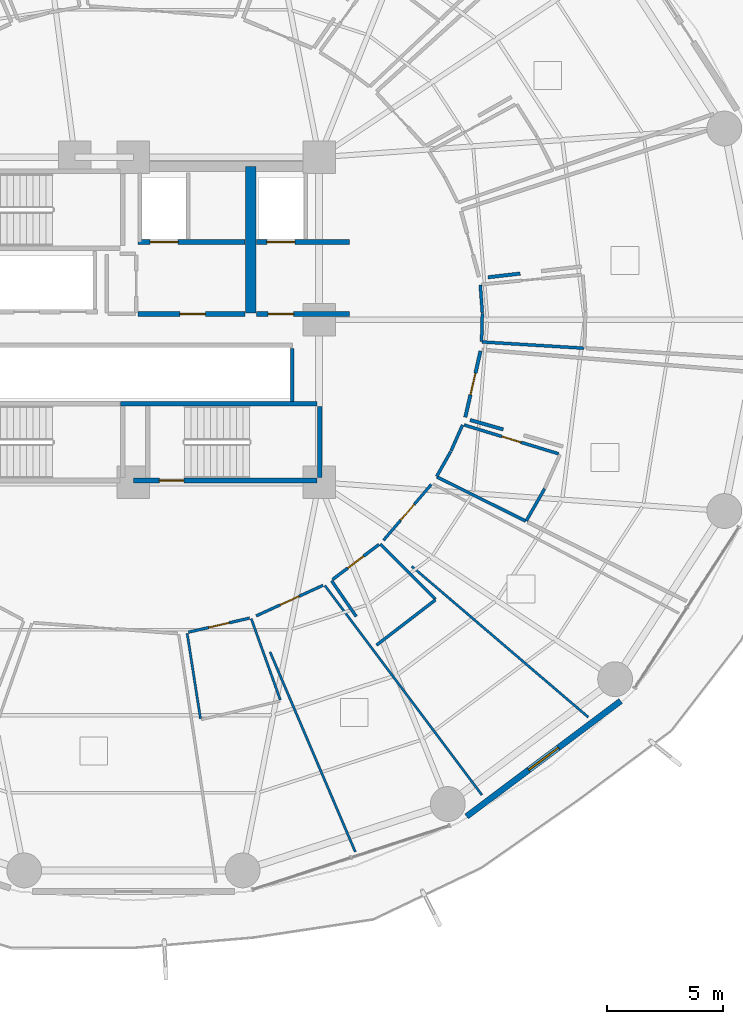
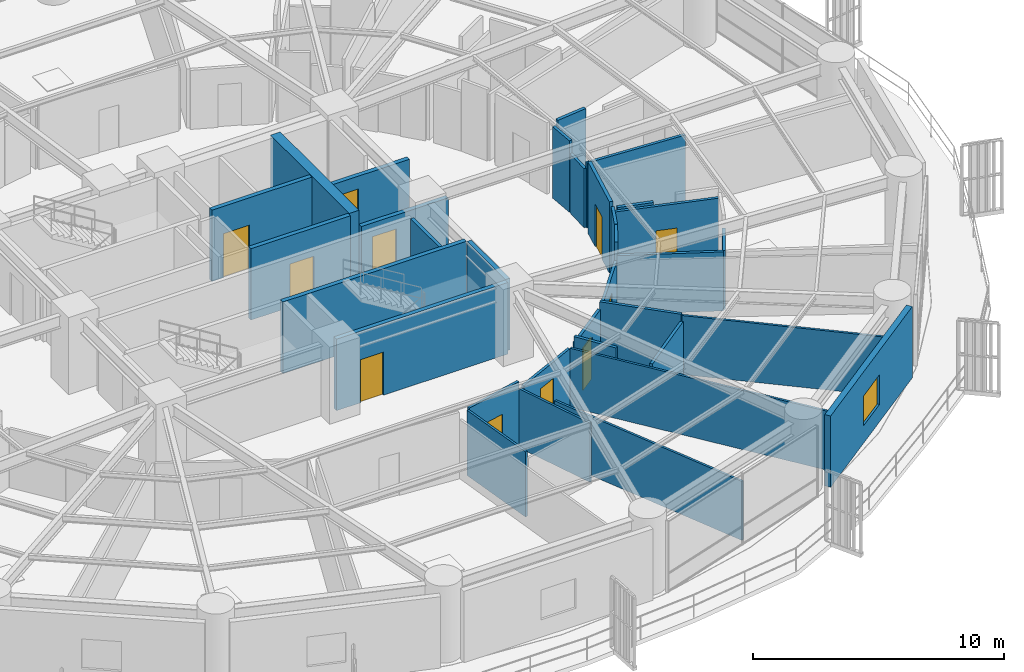
# One storey, part 24 of 32: 33 walls, 11 doors, 1 window, 12 openings.
"""IFC4 building model written with IfcOpenShell, lengths in metres."""

import ifcopenshell
import ifcopenshell.guid

model = None  # the IFC model being written
_history = None  # IfcOwnerHistory: only IFC2X3 demands one
_inside = {}  # id of a spatial element -> (the spatial element, [elements in it])
_under = {}  # id of a project, library or spatial element -> (it, [spatial elements below it])
_declared = {}  # id of a project -> (the project, [libraries it declares])
_typed = {}  # id of a type object -> (the type object, [elements of that type])
_made_of = {}  # id of a material, layer set ... -> (it, [elements and type objects made of it])


def new_model(schema):
    """Start an empty IFC model of exactly this schema.

    Asked for "IFC4X3", IfcOpenShell would pick the latest addendum, in which some entities
    have other attributes; the version numbers below select the first issue.
    IFC2X3 requires an IfcOwnerHistory on every rooted entity: one is made here for all.
    """
    global model, _history
    if schema == "IFC4X3":
        model = ifcopenshell.file(schema_version=(4, 3, 0, 0))
    else:
        model = ifcopenshell.file(schema=schema)
    _inside.clear()
    _under.clear()
    _declared.clear()
    _typed.clear()
    _made_of.clear()
    _history = None
    if model.schema == "IFC2X3":
        org = make("IfcOrganization", Name="unknown")
        user = make(
            "IfcPersonAndOrganization",
            ThePerson=make("IfcPerson", FamilyName="unknown"),
            TheOrganization=org,
        )
        app = make(
            "IfcApplication",
            ApplicationDeveloper=org,
            Version="unknown",
            ApplicationFullName="unknown",
            ApplicationIdentifier="unknown",
        )
        _history = make(
            "IfcOwnerHistory",
            OwningUser=user,
            OwningApplication=app,
            ChangeAction="ADDED",
            CreationDate=0,
        )
    return model


def make(cls, **values):
    """One entity of the class cls with the attributes given. An attribute that is None is left unset."""
    return model.create_entity(
        cls, **{name: value for name, value in values.items() if value is not None}
    )


def rooted(cls, **values):
    """An entity with a GlobalId (a new one), such as an element, a storey or a relation."""
    return make(cls, GlobalId=ifcopenshell.guid.new(), OwnerHistory=_history, **values)


def si_unit(unit_type, name, prefix=None):
    """IfcSIUnit, for example si_unit("LENGTHUNIT", "METRE", prefix="MILLI")."""
    return make("IfcSIUnit", UnitType=unit_type, Prefix=prefix, Name=name)


def assignment(units):
    """IfcUnitAssignment: the units of a project."""
    return None if units is None else make("IfcUnitAssignment", Units=units)


def point(xyz):
    """IfcCartesianPoint."""
    return None if xyz is None else make("IfcCartesianPoint", Coordinates=xyz)


def direction(xyz):
    """IfcDirection."""
    return None if xyz is None else make("IfcDirection", DirectionRatios=xyz)


def frame(location, z_axis=None, x_axis=None):
    """IfcAxis2Placement3D, a coordinate frame: its origin and axes. An axis left out is left unset."""
    return make(
        "IfcAxis2Placement3D",
        Location=point(location),
        Axis=direction(z_axis),
        RefDirection=direction(x_axis),
    )


def frame_2d(location, x_axis=None):
    """IfcAxis2Placement2D, a coordinate frame in the plane: its origin and x axis."""
    return make(
        "IfcAxis2Placement2D", Location=point(location), RefDirection=direction(x_axis)
    )


def origin():
    """The frame at (0, 0, 0) with its axes left unset."""
    return frame((0.0, 0.0, 0.0))


def place(relative_to, where):
    """IfcLocalPlacement: puts the frame where relative to a parent placement (None: the world)."""
    return make(
        "IfcLocalPlacement", PlacementRelTo=relative_to, RelativePlacement=where
    )


def context(
    kind, dimensions, precision=None, world=None, true_north=None, identifier=None
):
    """IfcGeometricRepresentationContext, for example the 3D "Model" context."""
    return make(
        "IfcGeometricRepresentationContext",
        ContextIdentifier=identifier,
        ContextType=kind,
        CoordinateSpaceDimension=dimensions,
        Precision=precision,
        WorldCoordinateSystem=world,
        TrueNorth=true_north,
    )


def subcontext(parent, identifier, kind, view, scale=None):
    """IfcGeometricRepresentationSubContext, for example "Body" below "Model"."""
    return make(
        "IfcGeometricRepresentationSubContext",
        ContextIdentifier=identifier,
        ContextType=kind,
        ParentContext=parent,
        TargetScale=scale,
        TargetView=view,
    )


def project(units=None, contexts=None):
    """IfcProject with its units and contexts."""
    return rooted(
        "IfcProject",
        Name="project",
        RepresentationContexts=contexts,
        UnitsInContext=assignment(units),
    )


def spatial(cls, under=None, at=None, **own):
    """A site, building, storey or space (cls), placed at a placement, below another one or the project."""
    s = rooted(cls, ObjectPlacement=at, **own)
    if under is not None:
        _under.setdefault(under.id(), (under, []))[1].append(s)
    return s


def profile(cls, at=None, kind="AREA", **sizes):
    """A parametric profile (cls). Its sizes go by their IFC names, for example OverallWidth=200.0."""
    return make(cls, ProfileType=kind, Position=at, **sizes)


def rectangle(**sizes):
    """IfcRectangleProfileDef."""
    return profile("IfcRectangleProfileDef", **sizes)


def extrude(swept, where, along, depth):
    """IfcExtrudedAreaSolid: the profile swept, set in the frame where, extruded along a direction by depth."""
    return make(
        "IfcExtrudedAreaSolid",
        SweptArea=swept,
        Position=where,
        ExtrudedDirection=direction(along),
        Depth=depth,
    )


def shape(context_of_items, identifier, shape_type, items):
    """IfcShapeRepresentation: the items that make up one representation, for example the "Body"."""
    return make(
        "IfcShapeRepresentation",
        ContextOfItems=context_of_items,
        RepresentationIdentifier=identifier,
        RepresentationType=shape_type,
        Items=items,
    )


def material(Name=None, Category=None):
    """IfcMaterial."""
    return make("IfcMaterial", Name=Name, Category=Category)


def layer(
    of_material, thickness, ventilated=None, Name=None, Category=None, Priority=None
):
    """IfcMaterialLayer: one layer of a wall or slab, of a material (None: an air gap)."""
    return make(
        "IfcMaterialLayer",
        Material=of_material,
        LayerThickness=thickness,
        IsVentilated=ventilated,
        Name=Name,
        Category=Category,
        Priority=Priority,
    )


def layer_set(layers, Name=None):
    """IfcMaterialLayerSet."""
    return make("IfcMaterialLayerSet", MaterialLayers=layers, LayerSetName=Name)


def made_of(thing, what):
    """Note that an element or type object is made of a material, layer set ...; save() writes the relation."""
    if what is not None:
        _made_of.setdefault(what.id(), (what, []))[1].append(thing)
    return thing


def type_object(cls, material=None, **own):
    """A type object (cls), such as IfcWallType, which elements share."""
    return made_of(rooted(cls, **own), material)


def element(
    cls,
    number,
    at=None,
    inside=None,
    cuts=None,
    type_object=None,
    material=None,
    context=None,
    identifier="Body",
    shape_type=None,
    held_by="IfcProductDefinitionShape",
    body=None,
    shapes=None,
    **own,
):
    """One element of the class cls, such as IfcWall. Its Tag is "e" and its number.

    at: its placement. inside: the storey or other place that contains it. cuts: it is an
    opening in that element (IfcRelVoidsElement). A single representation is given by context,
    identifier, shape_type and body (its items); several are given by shapes. held_by: the class
    of the entity that holds the representations. save() writes the other relations.
    """
    e = rooted(cls, Tag="e%d" % number, ObjectPlacement=at, **own)
    if body is not None:
        shapes = [shape(context, identifier, shape_type, body)]
    if shapes is not None:
        e.Representation = make(held_by, Representations=shapes)
    if inside is not None:
        _inside.setdefault(inside.id(), (inside, []))[1].append(e)
    if cuts is not None:
        rooted(
            "IfcRelVoidsElement", RelatingBuildingElement=cuts, RelatedOpeningElement=e
        )
    if type_object is not None:
        _typed.setdefault(type_object.id(), (type_object, []))[1].append(e)
    return made_of(e, material)


def fill(opening, filler):
    """IfcRelFillsElement: the door or window that sits in an opening."""
    return rooted(
        "IfcRelFillsElement",
        RelatingOpeningElement=opening,
        RelatedBuildingElement=filler,
    )


def aggregate(whole, parts):
    """IfcRelAggregates: a whole, such as a stair, and the parts it consists of."""
    return rooted("IfcRelAggregates", RelatingObject=whole, RelatedObjects=parts)


def save(model, path):
    """Write the relations noted so far, then the file.

    IfcRelAggregates (storeys below a building ...), IfcRelContainedInSpatialStructure (elements
    in a storey), IfcRelDefinesByType, IfcRelAssociatesMaterial and IfcRelDeclares: one each for
    every whole, place, type object, material and project.
    """
    for whole, parts in _under.values():
        aggregate(whole, parts)
    for where, things in _inside.values():
        rooted(
            "IfcRelContainedInSpatialStructure",
            RelatedElements=things,
            RelatingStructure=where,
        )
    for kind, things in _typed.values():
        rooted("IfcRelDefinesByType", RelatedObjects=things, RelatingType=kind)
    for what, things in _made_of.values():
        rooted("IfcRelAssociatesMaterial", RelatedObjects=things, RelatingMaterial=what)
    for by, libraries in _declared.values():
        rooted("IfcRelDeclares", RelatingContext=by, RelatedDefinitions=libraries)
    model.write(path)


model = new_model("IFC4")

# Units and contexts
model_context = context("Model", 3, precision=1e-05, world=origin(), true_north=direction((0.0, 1.0)))
body_context = subcontext(model_context, "Body", "Model", "MODEL_VIEW")
ifc_project = project(units=[si_unit("LENGTHUNIT", "METRE"), si_unit("AREAUNIT", "SQUARE_METRE"), si_unit("VOLUMEUNIT", "CUBIC_METRE"), si_unit("PLANEANGLEUNIT", "RADIAN"), si_unit("MASSUNIT", "GRAM", prefix="KILO")], contexts=[model_context])

# Site, building, storey
site_placement = place(None, origin())
site = spatial("IfcSite", under=ifc_project, at=site_placement, CompositionType="ELEMENT")
building_placement = place(site_placement, origin())
building = spatial("IfcBuilding", under=site, at=building_placement, Name="Kelanora Arch Commons", CompositionType="ELEMENT")
storey_placement = place(building_placement, frame((0.0, 0.0, 60.0)))
storey = spatial("IfcBuildingStorey", under=building, at=storey_placement, Name="L15", CompositionType="ELEMENT", Elevation=60.0)

# Wall
ifc_material_1 = material(Name="Autoclaved aerated concrete blockwork with fire plaster", Category="masonry")
ifc_layer_1 = layer(ifc_material_1, 0.14990234375)
ifc_layer_set_1 = layer_set([ifc_layer_1], Name="Autoclaved aerated concrete blockwork with fire plaster")
wall_type_1 = type_object("IfcWallType", Name="W-COMP-150", PredefinedType="PARTITIONING", material=ifc_layer_set_1)
wall_1_placement = place(storey_placement, frame((80.840087890625, 54.47998046875, 0.0), z_axis=(0.0, 0.0, 1.0), x_axis=(0.0, 1.0, 0.0)))
element("IfcWall", 1, at=wall_1_placement, inside=storey, type_object=wall_type_1, Name="South Lift Bank East Wall L15", PredefinedType="PARTITIONING", context=body_context, shape_type="SweptSolid", body=[
    extrude(rectangle(XDim=2.2900390625, YDim=0.14990234375, at=frame_2d((1.14501953125, 0.0))), origin(), (0.0, 0.0, 1.0), 3.47998046875),
])

# Wall, opening, door
wall_2_placement = place(storey_placement, frame((88.29345703125, 53.805419921875, 0.0), z_axis=(0.0, 0.0, 1.0), x_axis=(0.224304671601, 0.974519068206, 0.0)))
wall_2 = element("IfcWall", 2, at=wall_2_placement, inside=storey, type_object=wall_type_1, Name="Co-Living Studio L15-13 Entry Partition", PredefinedType="PARTITIONING", context=body_context, shape_type="SweptSolid", body=[
    extrude(rectangle(XDim=2.924560546875, YDim=0.14990234375, at=frame_2d((1.46240234375, 0.0))), origin(), (0.0, 0.0, 1.0), 3.47998046875),
])
opening_1_placement = place(wall_2_placement, frame((0.987060546875, 0.0, 0.0)))
opening_1 = element("IfcOpeningElement", 3, at=opening_1_placement, cuts=wall_2, Name="Opening D-CLU1", PredefinedType="OPENING", context=body_context, shape_type="SweptSolid", body=[
    extrude(rectangle(XDim=0.949951171875, YDim=2.080078125, at=frame_2d((0.47509765625, 1.0400390625))), frame((0.0, 0.0849609375, 0.0), z_axis=(0.0, -1.0, 0.0), x_axis=(1.0, 0.0, 0.0)), (0.0, 0.0, 1.0), 0.169921875),
])
ifc_material_2 = material(Name="Solid-core acoustic timber cluster entry fire door", Category="wood")
door_type_1 = type_object("IfcDoorType", Name="D-CLU-95", OperationType="NOTDEFINED", PredefinedType="DOOR", material=ifc_material_2)
door_1_placement = place(opening_1_placement, origin())
door_1 = element("IfcDoor", 4, at=door_1_placement, inside=storey, type_object=door_type_1, Name="Co-Living Studio L15-13 Door", OperationType="SINGLE_SWING_LEFT", OverallHeight=2.080078125, OverallWidth=0.949951171875, PredefinedType="DOOR", context=body_context, shape_type="SweptSolid", body=[
    extrude(rectangle(XDim=0.949951171875, YDim=2.080078125, at=frame_2d((0.47509765625, 1.0400390625))), frame((0.0, 0.02490234375, 0.0), z_axis=(0.0, -1.0, 0.0), x_axis=(1.0, 0.0, 0.0)), (0.0, 0.0, 1.0), 0.050048828125),
])
fill(opening_1, door_1)

# Walls
wall_3_placement = place(storey_placement, frame((89.927978515625, 53.275634765625, 0.0), z_axis=(0.0, 0.0, 1.0), x_axis=(-0.961462019825, 0.27493778284, 0.0)))
element("IfcWall", 5, at=wall_3_placement, inside=storey, type_object=wall_type_1, Name="Co-Living Studio L15-13 Enclosure Partition 7", PredefinedType="PARTITIONING", context=body_context, shape_type="SweptSolid", body=[
    extrude(rectangle(XDim=1.48828125, YDim=0.14990234375, at=frame_2d((0.744140625, 0.0))), origin(), (0.0, 0.0, 1.0), 3.235107421875),
])
wall_4_placement = place(storey_placement, frame((90.65625, 59.9892578125, 0.0), z_axis=(0.0, 0.0, 1.0), x_axis=(-0.99343576075, -0.114391386311, 0.0)))
element("IfcWall", 6, at=wall_4_placement, inside=storey, type_object=wall_type_1, Name="Co-Living Studio L15-14 Enclosure Partition 7", PredefinedType="PARTITIONING", context=body_context, shape_type="SweptSolid", body=[
    extrude(rectangle(XDim=1.3935546875, YDim=0.14990234375, at=frame_2d((0.69677734375, 0.0))), origin(), (0.0, 0.0, 1.0), 3.47998046875),
])
ifc_material_3 = material(Name="Concrete C60/75", Category="concrete")
ifc_layer_2 = layer(ifc_material_3, 0.449951171875)
ifc_layer_set_2 = layer_set([ifc_layer_2], Name="Concrete C60/75")
wall_type_2 = type_object("IfcWallType", Name="W-CORE-450", PredefinedType="SHEAR", material=ifc_layer_set_2)
wall_5_placement = place(storey_placement, frame((79.050048828125, 58.300048828125, 0.0), z_axis=(0.0, 0.0, 1.0), x_axis=(0.0, 1.0, 0.0)))
element("IfcWall", 7, at=wall_5_placement, inside=storey, type_object=wall_type_2, Name="Core Shear Spine L15-CE-N", PredefinedType="SHEAR", context=body_context, shape_type="SweptSolid", body=[
    extrude(rectangle(XDim=6.300048828125, YDim=0.449951171875, at=frame_2d((3.14990234375, 0.0))), origin(), (0.0, 0.0, 1.0), 3.489990234375),
])

# Wall, opening, window
ifc_material_4 = material(Name="Precast concrete C40/50 with terracotta rainscreen", Category="masonry")
ifc_layer_3 = layer(ifc_material_4, 0.260009765625)
ifc_layer_set_3 = layer_set([ifc_layer_3], Name="Precast concrete C40/50 with terracotta rainscreen")
wall_type_3 = type_object("IfcWallType", Name="W-EXT-TC", PredefinedType="SOLIDWALL", material=ifc_layer_set_3)
wall_6_placement = place(storey_placement, frame((88.348876953125, 36.61083984375, 0.0), z_axis=(0.0, 0.0, 1.0), x_axis=(0.80030733173, 0.599590005569, 0.0)))
wall_6 = element("IfcWall", 8, at=wall_6_placement, inside=storey, type_object=wall_type_3, Name="Terracotta Exterior Wall L15-B15", PredefinedType="SOLIDWALL", context=body_context, shape_type="SweptSolid", body=[
    extrude(rectangle(XDim=8.29052734375, YDim=0.260009765625, at=frame_2d((4.145263671875, 0.0))), origin(), (0.0, 0.0, 1.0), 3.47509765625),
])
opening_2_placement = place(wall_6_placement, frame((3.344970703125, 0.0, 0.85009765625)))
opening_2 = element("IfcOpeningElement", 9, at=opening_2_placement, cuts=wall_6, Name="Opening WN-01", PredefinedType="OPENING", context=body_context, shape_type="SweptSolid", body=[
    extrude(rectangle(XDim=1.60009765625, YDim=1.449951171875, at=frame_2d((0.800048828125, 0.72509765625))), frame((0.0, 0.14013671875, 0.0), z_axis=(0.0, -1.0, 0.0), x_axis=(1.0, 0.0, 0.0)), (0.0, 0.0, 1.0), 0.280029296875),
])
ifc_material_5 = material(Name="Terracotta-anodised aluminium frame with operable low-E glazing", Category="masonry")
window_type = type_object("IfcWindowType", Name="WIN-CL-18", PartitioningType="DOUBLE_PANEL_VERTICAL", PredefinedType="WINDOW", material=ifc_material_5)
window_placement = place(opening_2_placement, origin())
window = element("IfcWindow", 10, at=window_placement, inside=storey, type_object=window_type, Name="Co-Living Operable Window L15-B15", OverallHeight=1.449951171875, OverallWidth=1.60009765625, PartitioningType="SINGLE_PANEL", PredefinedType="WINDOW", context=body_context, shape_type="SweptSolid", body=[
    extrude(rectangle(XDim=1.60009765625, YDim=1.449951171875, at=frame_2d((0.800048828125, 0.72509765625))), frame((0.0, 0.030029296875, 0.0), z_axis=(0.0, -1.0, 0.0), x_axis=(1.0, 0.0, 0.0)), (0.0, 0.0, 1.0), 0.06005859375),
])
fill(opening_2, window)

# Wall, opening, door
ifc_material_6 = material(Name="Concrete C40/50", Category="concrete")
ifc_layer_4 = layer(ifc_material_6, 0.199951171875)
ifc_layer_set_4 = layer_set([ifc_layer_4], Name="Concrete C40/50")
wall_type_4 = type_object("IfcWallType", Name="W-FFL-200", PredefinedType="SOLIDWALL", material=ifc_layer_set_4)
wall_7_placement = place(storey_placement, frame((74.199951171875, 61.35009765625, 0.0), z_axis=(0.0, 0.0, 1.0), x_axis=(1.0, 0.0, 0.0)))
wall_7 = element("IfcWall", 11, at=wall_7_placement, inside=storey, type_object=wall_type_4, Name="Firefighting Lift 1 Shaft Front L15", PredefinedType="SOLIDWALL", context=body_context, shape_type="SweptSolid", body=[
    extrude(rectangle(XDim=4.60009765625, YDim=0.199951171875, at=frame_2d((2.300048828125, 0.0))), origin(), (0.0, 0.0, 1.0), 3.47998046875),
])
opening_3_placement = place(wall_7_placement, frame((0.52001953125, 0.0, 0.0)))
opening_3 = element("IfcOpeningElement", 12, at=opening_3_placement, cuts=wall_7, Name="Opening LD-FF", PredefinedType="OPENING", context=body_context, shape_type="SweptSolid", body=[
    extrude(rectangle(XDim=1.199951171875, YDim=2.14990234375, at=frame_2d((0.60009765625, 1.074951171875))), frame((0.0, 0.10986328125, 0.0), z_axis=(0.0, -1.0, 0.0), x_axis=(1.0, 0.0, 0.0)), (0.0, 0.0, 1.0), 0.219970703125),
])
ifc_material_7 = material(Name="Fire-rated firefighters lift sliding landing door")
door_type_2 = type_object("IfcDoorType", Name="D-LIFT-FF", OperationType="NOTDEFINED", PredefinedType="DOOR", material=ifc_material_7)
door_2_placement = place(opening_3_placement, origin())
door_2 = element("IfcDoor", 13, at=door_2_placement, inside=storey, type_object=door_type_2, Name="Firefighting Lift LF-FF1 Landing Door L15", OperationType="DOUBLE_DOOR_SLIDING", OverallHeight=2.14990234375, OverallWidth=1.199951171875, PredefinedType="DOOR", context=body_context, shape_type="SweptSolid", body=[
    extrude(rectangle(XDim=1.199951171875, YDim=2.14990234375, at=frame_2d((0.60009765625, 1.074951171875))), frame((0.0, 0.02490234375, 0.0), z_axis=(0.0, -1.0, 0.0), x_axis=(1.0, 0.0, 0.0)), (0.0, 0.0, 1.0), 0.050048828125),
])
fill(opening_3, door_2)

wall_8_placement = place(storey_placement, frame((79.300048828125, 61.35009765625, 0.0), z_axis=(0.0, 0.0, 1.0), x_axis=(1.0, 0.0, 0.0)))
wall_8 = element("IfcWall", 14, at=wall_8_placement, inside=storey, type_object=wall_type_4, Name="Firefighting Lift 2 Shaft Front L15", PredefinedType="SOLIDWALL", context=body_context, shape_type="SweptSolid", body=[
    extrude(rectangle(XDim=4.0, YDim=0.199951171875, at=frame_2d((2.0, 0.0))), origin(), (0.0, 0.0, 1.0), 2.77490234375),
])
opening_4_placement = place(wall_8_placement, frame((0.449951171875, 0.0, 0.0)))
opening_4 = element("IfcOpeningElement", 15, at=opening_4_placement, cuts=wall_8, Name="Opening LD-FF", PredefinedType="OPENING", context=body_context, shape_type="SweptSolid", body=[
    extrude(rectangle(XDim=1.199951171875, YDim=2.14990234375, at=frame_2d((0.60009765625, 1.074951171875))), frame((0.0, 0.10986328125, 0.0), z_axis=(0.0, -1.0, 0.0), x_axis=(1.0, 0.0, 0.0)), (0.0, 0.0, 1.0), 0.219970703125),
])
door_3_placement = place(opening_4_placement, origin())
door_3 = element("IfcDoor", 16, at=door_3_placement, inside=storey, type_object=door_type_2, Name="Firefighting Lift LF-FF2 Landing Door L15", OperationType="DOUBLE_DOOR_SLIDING", OverallHeight=2.14990234375, OverallWidth=1.199951171875, PredefinedType="DOOR", context=body_context, shape_type="SweptSolid", body=[
    extrude(rectangle(XDim=1.199951171875, YDim=2.14990234375, at=frame_2d((0.60009765625, 1.074951171875))), frame((0.0, 0.02490234375, 0.0), z_axis=(0.0, -1.0, 0.0), x_axis=(1.0, 0.0, 0.0)), (0.0, 0.0, 1.0), 0.050048828125),
])
fill(opening_4, door_3)

wall_9_placement = place(storey_placement, frame((74.199951171875, 58.25, 0.0), z_axis=(0.0, 0.0, 1.0), x_axis=(1.0, 0.0, 0.0)))
wall_9 = element("IfcWall", 17, at=wall_9_placement, inside=storey, type_object=wall_type_4, Name="Firefighting Lobby 1 Enclosure Wall L15", PredefinedType="SOLIDWALL", context=body_context, shape_type="SweptSolid", body=[
    extrude(rectangle(XDim=4.60009765625, YDim=0.199951171875, at=frame_2d((2.300048828125, 0.0))), origin(), (0.0, 0.0, 1.0), 3.47998046875),
])
opening_5_placement = place(wall_9_placement, frame((1.800048828125, 0.0, 0.0)))
opening_5 = element("IfcOpeningElement", 18, at=opening_5_placement, cuts=wall_9, Name="Opening D-FFL1", PredefinedType="OPENING", context=body_context, shape_type="SweptSolid", body=[
    extrude(rectangle(XDim=1.10009765625, YDim=2.10009765625, at=frame_2d((0.550048828125, 1.050048828125))), frame((0.0, 0.10986328125, 0.0), z_axis=(0.0, -1.0, 0.0), x_axis=(1.0, 0.0, 0.0)), (0.0, 0.0, 1.0), 0.219970703125),
])
ifc_material_8 = material(Name="Smoke-sealed firefighting lobby fire door")
door_type_3 = type_object("IfcDoorType", Name="D-FFL-110", OperationType="NOTDEFINED", PredefinedType="DOOR", material=ifc_material_8)
door_4_placement = place(opening_5_placement, frame((1.10009765625, 0.0, 0.0), z_axis=(0.0, 0.0, 1.0), x_axis=(-1.0, 0.0, 0.0)))
door_4 = element("IfcDoor", 19, at=door_4_placement, inside=storey, type_object=door_type_3, Name="Firefighting Lobby 1 Door L15", OperationType="SINGLE_SWING_LEFT", OverallHeight=2.10009765625, OverallWidth=1.10009765625, PredefinedType="DOOR", context=body_context, shape_type="SweptSolid", body=[
    extrude(rectangle(XDim=1.10009765625, YDim=2.10009765625, at=frame_2d((0.550048828125, 1.050048828125))), frame((0.0, 0.02490234375, 0.0), z_axis=(0.0, -1.0, 0.0), x_axis=(1.0, 0.0, 0.0)), (0.0, 0.0, 1.0), 0.050048828125),
])
fill(opening_5, door_4)

wall_10_placement = place(storey_placement, frame((79.300048828125, 58.25, 0.0), z_axis=(0.0, 0.0, 1.0), x_axis=(1.0, 0.0, 0.0)))
wall_10 = element("IfcWall", 20, at=wall_10_placement, inside=storey, type_object=wall_type_4, Name="Firefighting Lobby 2 Enclosure Wall L15", PredefinedType="SOLIDWALL", context=body_context, shape_type="SweptSolid", body=[
    extrude(rectangle(XDim=4.0, YDim=0.199951171875, at=frame_2d((2.0, 0.0))), origin(), (0.0, 0.0, 1.0), 2.77490234375),
])
opening_6_placement = place(wall_10_placement, frame((0.5, 0.0, 0.0)))
opening_6 = element("IfcOpeningElement", 21, at=opening_6_placement, cuts=wall_10, Name="Opening D-FFL1", PredefinedType="OPENING", context=body_context, shape_type="SweptSolid", body=[
    extrude(rectangle(XDim=1.10009765625, YDim=2.10009765625, at=frame_2d((0.550048828125, 1.050048828125))), frame((0.0, 0.10986328125, 0.0), z_axis=(0.0, -1.0, 0.0), x_axis=(1.0, 0.0, 0.0)), (0.0, 0.0, 1.0), 0.219970703125),
])
door_5_placement = place(opening_6_placement, frame((1.10009765625, 0.0, 0.0), z_axis=(0.0, 0.0, 1.0), x_axis=(-1.0, 0.0, 0.0)))
door_5 = element("IfcDoor", 22, at=door_5_placement, inside=storey, type_object=door_type_3, Name="Firefighting Lobby 2 Door L15", OperationType="SINGLE_SWING_RIGHT", OverallHeight=2.10009765625, OverallWidth=1.10009765625, PredefinedType="DOOR", context=body_context, shape_type="SweptSolid", body=[
    extrude(rectangle(XDim=1.10009765625, YDim=2.10009765625, at=frame_2d((0.550048828125, 1.050048828125))), frame((0.0, 0.02490234375, 0.0), z_axis=(0.0, -1.0, 0.0), x_axis=(1.0, 0.0, 0.0)), (0.0, 0.0, 1.0), 0.050048828125),
])
fill(opening_6, door_5)

# Walls
ifc_material_9 = material(Name="Lightweight fire-rated acoustic stud partition")
ifc_layer_5 = layer(ifc_material_9, 0.10009765625)
ifc_layer_set_5 = layer_set([ifc_layer_5], Name="Lightweight fire-rated acoustic stud partition")
wall_type_5 = type_object("IfcWallType", Name="W-PART-100", PredefinedType="PARTITIONING", material=ifc_layer_set_5)
wall_11_placement = place(storey_placement, frame((79.074462890625, 45.12841796875, 0.0), z_axis=(0.0, 0.0, 1.0), x_axis=(0.336806149261, -0.941574010803, 0.0)))
element("IfcWall", 23, at=wall_11_placement, inside=storey, type_object=wall_type_5, Name="Student Laundry Room L15-11 Enclosure Partition 2", PredefinedType="PARTITIONING", context=body_context, shape_type="SweptSolid", body=[
    extrude(rectangle(XDim=3.719970703125, YDim=0.10009765625, at=frame_2d((1.85986328125, 0.0))), origin(), (0.0, 0.0, 1.0), 2.875),
])
wall_12_placement = place(storey_placement, frame((76.888916015625, 40.81640625, 0.0), z_axis=(0.0, 0.0, 1.0), x_axis=(-0.153950475789, 0.988078565198, 0.0)))
element("IfcWall", 24, at=wall_12_placement, inside=storey, type_object=wall_type_5, Name="Student Laundry Room L15-11 Enclosure Partition 4", PredefinedType="PARTITIONING", context=body_context, shape_type="SweptSolid", body=[
    extrude(rectangle(XDim=3.720458984375, YDim=0.10009765625, at=frame_2d((1.8603515625, 0.0))), origin(), (0.0, 0.0, 1.0), 3.175048828125),
])
wall_13_placement = place(storey_placement, frame((82.243896484375, 46.556884765625, 0.0), z_axis=(0.0, 0.0, 1.0), x_axis=(0.599892569248, -0.800080561794, 0.0)))
element("IfcWall", 25, at=wall_13_placement, inside=storey, type_object=wall_type_5, Name="Quiet Reading Carrel L15-11 Enclosure Partition 2", PredefinedType="PARTITIONING", context=body_context, shape_type="SweptSolid", body=[
    extrude(rectangle(XDim=11.2724609375, YDim=0.10009765625, at=frame_2d((5.63623046875, 0.0))), origin(), (0.0, 0.0, 1.0), 2.875),
])
wall_14_placement = place(storey_placement, frame((83.55322265625, 35.0888671875, 0.0), z_axis=(0.0, 0.0, 1.0), x_axis=(-0.392154212845, 0.919899490895, 0.0)))
element("IfcWall", 26, at=wall_14_placement, inside=storey, type_object=wall_type_5, Name="Quiet Reading Carrel L15-11 Enclosure Partition 4", PredefinedType="PARTITIONING", context=body_context, shape_type="SweptSolid", body=[
    extrude(rectangle(XDim=9.35205078125, YDim=0.10009765625, at=frame_2d((4.676025390625, 0.0))), origin(), (0.0, 0.0, 1.0), 2.875),
])
wall_15_placement = place(storey_placement, frame((93.588623046875, 40.885009765625, 0.0), z_axis=(0.0, 0.0, 1.0), x_axis=(-0.760200523841, 0.649688512713, 0.0)))
element("IfcWall", 27, at=wall_15_placement, inside=storey, type_object=wall_type_5, Name="Tutorial Study Alcove L15-12 Enclosure Partition 4", PredefinedType="PARTITIONING", context=body_context, shape_type="SweptSolid", body=[
    extrude(rectangle(XDim=9.99658203125, YDim=0.10009765625, at=frame_2d((4.998291015625, 0.0))), origin(), (0.0, 0.0, 1.0), 2.875),
])

# Wall, opening, door
ifc_material_10 = material(Name="Acoustic twin-stud fire-rated gypsum partition")
ifc_layer_6 = layer(ifc_material_10, 0.1201171875)
ifc_layer_set_6 = layer_set([ifc_layer_6], Name="Acoustic twin-stud fire-rated gypsum partition")
wall_type_6 = type_object("IfcWallType", Name="W-PART-120", PredefinedType="PARTITIONING", material=ifc_layer_set_6)
wall_16_placement = place(storey_placement, frame((76.368408203125, 44.54541015625, 0.0), z_axis=(0.0, 0.0, 1.0), x_axis=(0.974445966729, 0.224622033484, 0.0)))
wall_16 = element("IfcWall", 28, at=wall_16_placement, inside=storey, type_object=wall_type_6, Name="Student Laundry Room L15-11 Entry Partition", PredefinedType="PARTITIONING", context=body_context, shape_type="SweptSolid", body=[
    extrude(rectangle(XDim=2.703125, YDim=0.1201171875, at=frame_2d((1.3515625, 0.0))), origin(), (0.0, 0.0, 1.0), 3.235107421875),
])
opening_7_placement = place(wall_16_placement, frame((0.902099609375, 0.0, 0.0)))
opening_7 = element("IfcOpeningElement", 29, at=opening_7_placement, cuts=wall_16, Name="Opening D-RM1", PredefinedType="OPENING", context=body_context, shape_type="SweptSolid", body=[
    extrude(rectangle(XDim=0.89990234375, YDim=2.080078125, at=frame_2d((0.449951171875, 1.0400390625))), frame((0.0, 0.070068359375, 0.0), z_axis=(0.0, -1.0, 0.0), x_axis=(1.0, 0.0, 0.0)), (0.0, 0.0, 1.0), 0.14013671875),
])
ifc_material_11 = material(Name="Acoustic fire-rated timber study and lounge door", Category="wood")
door_type_4 = type_object("IfcDoorType", Name="D-ROOM-90", OperationType="NOTDEFINED", PredefinedType="DOOR", material=ifc_material_11)
door_6_placement = place(opening_7_placement, origin())
door_6 = element("IfcDoor", 30, at=door_6_placement, inside=storey, type_object=door_type_4, Name="Student Laundry Room L15-11 Door", OperationType="SINGLE_SWING_RIGHT", OverallHeight=2.080078125, OverallWidth=0.89990234375, PredefinedType="DOOR", context=body_context, shape_type="SweptSolid", body=[
    extrude(rectangle(XDim=0.89990234375, YDim=2.080078125, at=frame_2d((0.449951171875, 1.0400390625))), frame((0.0, 0.02490234375, 0.0), z_axis=(0.0, -1.0, 0.0), x_axis=(1.0, 0.0, 0.0)), (0.0, 0.0, 1.0), 0.050048828125),
])
fill(opening_7, door_6)

wall_17_placement = place(storey_placement, frame((79.28759765625, 45.248046875, 0.0), z_axis=(0.0, 0.0, 1.0), x_axis=(0.909426123825, 0.415865513483, 0.0)))
wall_17 = element("IfcWall", 31, at=wall_17_placement, inside=storey, type_object=wall_type_6, Name="Quiet Reading Carrel L15-11 Entry Partition", PredefinedType="PARTITIONING", context=body_context, shape_type="SweptSolid", body=[
    extrude(rectangle(XDim=3.164306640625, YDim=0.1201171875, at=frame_2d((1.58203125, 0.0))), origin(), (0.0, 0.0, 1.0), 2.875),
])
opening_8_placement = place(wall_17_placement, frame((1.132080078125, 0.0, 0.0)))
opening_8 = element("IfcOpeningElement", 32, at=opening_8_placement, cuts=wall_17, Name="Opening D-RM1", PredefinedType="OPENING", context=body_context, shape_type="SweptSolid", body=[
    extrude(rectangle(XDim=0.89990234375, YDim=2.080078125, at=frame_2d((0.449951171875, 1.0400390625))), frame((0.0, 0.070068359375, 0.0), z_axis=(0.0, -1.0, 0.0), x_axis=(1.0, 0.0, 0.0)), (0.0, 0.0, 1.0), 0.14013671875),
])
door_7_placement = place(opening_8_placement, origin())
door_7 = element("IfcDoor", 33, at=door_7_placement, inside=storey, type_object=door_type_4, Name="Quiet Reading Carrel L15-11 Door", OperationType="SINGLE_SWING_LEFT", OverallHeight=2.080078125, OverallWidth=0.89990234375, PredefinedType="DOOR", context=body_context, shape_type="SweptSolid", body=[
    extrude(rectangle(XDim=0.89990234375, YDim=2.080078125, at=frame_2d((0.449951171875, 1.0400390625))), frame((0.0, 0.02490234375, 0.0), z_axis=(0.0, -1.0, 0.0), x_axis=(1.0, 0.0, 0.0)), (0.0, 0.0, 1.0), 0.050048828125),
])
fill(opening_8, door_7)

wall_18_placement = place(storey_placement, frame((84.76904296875, 48.501708984375, 0.0), z_axis=(0.0, 0.0, 1.0), x_axis=(0.649870238328, 0.760045178483, 0.0)))
wall_18 = element("IfcWall", 34, at=wall_18_placement, inside=storey, type_object=wall_type_6, Name="Tutorial Study Alcove L15-12 Entry Partition", PredefinedType="PARTITIONING", context=body_context, shape_type="SweptSolid", body=[
    extrude(rectangle(XDim=3.16650390625, YDim=0.1201171875, at=frame_2d((1.583251953125, 0.0))), origin(), (0.0, 0.0, 1.0), 2.875),
])
opening_9_placement = place(wall_18_placement, frame((1.133056640625, 0.0, 0.0)))
opening_9 = element("IfcOpeningElement", 35, at=opening_9_placement, cuts=wall_18, Name="Opening D-RM1", PredefinedType="OPENING", context=body_context, shape_type="SweptSolid", body=[
    extrude(rectangle(XDim=0.89990234375, YDim=2.080078125, at=frame_2d((0.449951171875, 1.0400390625))), frame((0.0, 0.070068359375, 0.0), z_axis=(0.0, -1.0, 0.0), x_axis=(1.0, 0.0, 0.0)), (0.0, 0.0, 1.0), 0.14013671875),
])
door_8_placement = place(opening_9_placement, origin())
door_8 = element("IfcDoor", 36, at=door_8_placement, inside=storey, type_object=door_type_4, Name="Tutorial Study Alcove L15-12 Door", OperationType="SINGLE_SWING_LEFT", OverallHeight=2.080078125, OverallWidth=0.89990234375, PredefinedType="DOOR", context=body_context, shape_type="SweptSolid", body=[
    extrude(rectangle(XDim=0.89990234375, YDim=2.080078125, at=frame_2d((0.449951171875, 1.0400390625))), frame((0.0, 0.02490234375, 0.0), z_axis=(0.0, -1.0, 0.0), x_axis=(1.0, 0.0, 0.0)), (0.0, 0.0, 1.0), 0.050048828125),
])
fill(opening_9, door_8)

ifc_layer_7 = layer(ifc_material_6, 0.199951171875)
ifc_layer_set_7 = layer_set([ifc_layer_7], Name="Concrete C40/50")
wall_type_7 = type_object("IfcWallType", Name="W-STAIR-200", PredefinedType="SHEAR", material=ifc_layer_set_7)
wall_19_placement = place(storey_placement, frame((74.0, 51.080078125, 0.0), z_axis=(0.0, 0.0, 1.0), x_axis=(1.0, 0.0, 0.0)))
wall_19 = element("IfcWall", 37, at=wall_19_placement, inside=storey, type_object=wall_type_7, Name="Stair ST-T2 Shaft Wall S L15", PredefinedType="SHEAR", context=body_context, shape_type="SweptSolid", body=[
    extrude(rectangle(XDim=7.89990234375, YDim=0.199951171875, at=frame_2d((3.949951171875, 0.0))), origin(), (0.0, 0.0, 1.0), 3.489990234375),
])
opening_10_placement = place(wall_19_placement, frame((1.1201171875, 0.0, 0.0)))
opening_10 = element("IfcOpeningElement", 38, at=opening_10_placement, cuts=wall_19, Name="Opening D-ST1", PredefinedType="OPENING", context=body_context, shape_type="SweptSolid", body=[
    extrude(rectangle(XDim=1.050048828125, YDim=2.10009765625, at=frame_2d((0.52490234375, 1.050048828125))), frame((0.0, 0.10986328125, 0.0), z_axis=(0.0, -1.0, 0.0), x_axis=(1.0, 0.0, 0.0)), (0.0, 0.0, 1.0), 0.219970703125),
])
ifc_material_12 = material(Name="Steel fire-rated stairwell escape door", Category="steel")
door_type_5 = type_object("IfcDoorType", Name="D-STAIR-110", OperationType="NOTDEFINED", PredefinedType="DOOR", material=ifc_material_12)
door_9_placement = place(opening_10_placement, origin())
door_9 = element("IfcDoor", 39, at=door_9_placement, inside=storey, type_object=door_type_5, Name="Stair ST-T2 Escape Door L15", OperationType="SINGLE_SWING_LEFT", OverallHeight=2.10009765625, OverallWidth=1.050048828125, PredefinedType="DOOR", context=body_context, shape_type="SweptSolid", body=[
    extrude(rectangle(XDim=1.050048828125, YDim=2.10009765625, at=frame_2d((0.52490234375, 1.050048828125))), frame((0.0, 0.02490234375, 0.0), z_axis=(0.0, -1.0, 0.0), x_axis=(1.0, 0.0, 0.0)), (0.0, 0.0, 1.0), 0.050048828125),
])
fill(opening_10, door_9)

# Walls
wall_20_placement = place(storey_placement, frame((82.02001953125, 51.199951171875, 0.0), z_axis=(0.0, 0.0, 1.0), x_axis=(0.0, 1.0, 0.0)))
element("IfcWall", 40, at=wall_20_placement, inside=storey, type_object=wall_type_7, Name="Stair ST-T2 Shaft Wall E L15", PredefinedType="SHEAR", context=body_context, shape_type="SweptSolid", body=[
    extrude(rectangle(XDim=3.070068359375, YDim=0.199951171875, at=frame_2d((1.53515625, 0.0))), origin(), (0.0, 0.0, 1.0), 3.489990234375),
])
wall_21_placement = place(storey_placement, frame((81.89990234375, 54.389892578125, 0.0), z_axis=(0.0, 0.0, 1.0), x_axis=(-1.0, 0.0, 0.0)))
element("IfcWall", 41, at=wall_21_placement, inside=storey, type_object=wall_type_7, Name="Stair ST-T2 Shaft Wall N L15", PredefinedType="SHEAR", context=body_context, shape_type="SweptSolid", body=[
    extrude(rectangle(XDim=8.4599609375, YDim=0.199951171875, at=frame_2d((4.22998046875, 0.0))), origin(), (0.0, 0.0, 1.0), 3.489990234375),
])

# Wall, opening, door
ifc_material_13 = material(Name="Moisture-resistant fire-rated cement-board plumbing wall")
ifc_layer_8 = layer(ifc_material_13, 0.1298828125)
ifc_layer_set_8 = layer_set([ifc_layer_8], Name="Moisture-resistant fire-rated cement-board plumbing wall")
wall_type_8 = type_object("IfcWallType", Name="W-WET-120", PredefinedType="PLUMBINGWALL", material=ifc_layer_set_8)
wall_22_placement = place(storey_placement, frame((82.572998046875, 46.81103515625, 0.0), z_axis=(0.0, 0.0, 1.0), x_axis=(0.7983589592, 0.602181843188, 0.0)))
wall_22 = element("IfcWall", 42, at=wall_22_placement, inside=storey, type_object=wall_type_8, Name="Accessible Shared Floor WC L15-12 Entry Partition", PredefinedType="PLUMBINGWALL", context=body_context, shape_type="SweptSolid", body=[
    extrude(rectangle(XDim=2.50390625, YDim=0.1298828125, at=frame_2d((1.251953125, 0.0))), origin(), (0.0, 0.0, 1.0), 2.875),
])
opening_11_placement = place(wall_22_placement, frame((0.822021484375, 0.0, 0.0)))
opening_11 = element("IfcOpeningElement", 43, at=opening_11_placement, cuts=wall_22, Name="Opening D-BT1", PredefinedType="OPENING", context=body_context, shape_type="SweptSolid", body=[
    extrude(rectangle(XDim=0.860107421875, YDim=2.050048828125, at=frame_2d((0.43017578125, 1.02490234375))), frame((0.0, 0.074951171875, 0.0), z_axis=(0.0, -1.0, 0.0), x_axis=(1.0, 0.0, 0.0)), (0.0, 0.0, 1.0), 0.14990234375),
])
ifc_material_14 = material(Name="Moisture-sealed fire-rated accessible bathroom door")
door_type_6 = type_object("IfcDoorType", Name="D-BATH-85", OperationType="NOTDEFINED", PredefinedType="DOOR", material=ifc_material_14)
door_10_placement = place(opening_11_placement, origin())
door_10 = element("IfcDoor", 44, at=door_10_placement, inside=storey, type_object=door_type_6, Name="Accessible Shared Floor WC L15-12 Door", OperationType="SINGLE_SWING_RIGHT", OverallHeight=2.050048828125, OverallWidth=0.860107421875, PredefinedType="DOOR", context=body_context, shape_type="SweptSolid", body=[
    extrude(rectangle(XDim=0.860107421875, YDim=2.050048828125, at=frame_2d((0.43017578125, 1.02490234375))), frame((0.0, 0.02490234375, 0.0), z_axis=(0.0, -1.0, 0.0), x_axis=(1.0, 0.0, 0.0)), (0.0, 0.0, 1.0), 0.050048828125),
])
fill(opening_11, door_10)

wall_23_placement = place(storey_placement, frame((88.240478515625, 53.470458984375, 0.0), z_axis=(0.0, 0.0, 1.0), x_axis=(0.956456460619, -0.291875039941, 0.0)))
wall_23 = element("IfcWall", 45, at=wall_23_placement, inside=storey, type_object=wall_type_8, Name="En-Suite Shower WC L15-13 Entry Partition", PredefinedType="PLUMBINGWALL", context=body_context, shape_type="SweptSolid", body=[
    extrude(rectangle(XDim=4.26171875, YDim=0.1298828125, at=frame_2d((2.130859375, 0.0))), origin(), (0.0, 0.0, 1.0), 3.235107421875),
])
opening_12_placement = place(wall_23_placement, frame((1.700927734375, 0.0, 0.0)))
opening_12 = element("IfcOpeningElement", 46, at=opening_12_placement, cuts=wall_23, Name="Opening D-BT1", PredefinedType="OPENING", context=body_context, shape_type="SweptSolid", body=[
    extrude(rectangle(XDim=0.860107421875, YDim=2.050048828125, at=frame_2d((0.43017578125, 1.02490234375))), frame((0.0, 0.074951171875, 0.0), z_axis=(0.0, -1.0, 0.0), x_axis=(1.0, 0.0, 0.0)), (0.0, 0.0, 1.0), 0.14990234375),
])
door_11_placement = place(opening_12_placement, origin())
door_11 = element("IfcDoor", 47, at=door_11_placement, inside=storey, type_object=door_type_6, Name="En-Suite Shower WC L15-13 Door", OperationType="SINGLE_SWING_RIGHT", OverallHeight=2.050048828125, OverallWidth=0.860107421875, PredefinedType="DOOR", context=body_context, shape_type="SweptSolid", body=[
    extrude(rectangle(XDim=0.860107421875, YDim=2.050048828125, at=frame_2d((0.43017578125, 1.02490234375))), frame((0.0, 0.02490234375, 0.0), z_axis=(0.0, -1.0, 0.0), x_axis=(1.0, 0.0, 0.0)), (0.0, 0.0, 1.0), 0.050048828125),
])
fill(opening_12, door_11)

# Walls
wall_24_placement = place(storey_placement, frame((84.634033203125, 48.3408203125, 0.0), z_axis=(0.0, 0.0, 1.0), x_axis=(0.706525219412, -0.707687865047, 0.0)))
element("IfcWall", 48, at=wall_24_placement, inside=storey, type_object=wall_type_8, Name="Accessible Shared Floor WC L15-12 Enclosure Partition 2", PredefinedType="PLUMBINGWALL", context=body_context, shape_type="SweptSolid", body=[
    extrude(rectangle(XDim=3.35986328125, YDim=0.1298828125, at=frame_2d((1.679931640625, 0.0))), origin(), (0.0, 0.0, 1.0), 3.235107421875),
])
wall_25_placement = place(storey_placement, frame((87.006103515625, 45.936767578125, 0.0), z_axis=(0.0, 0.0, 1.0), x_axis=(-0.792836735531, -0.609434090606, 0.0)))
element("IfcWall", 49, at=wall_25_placement, inside=storey, type_object=wall_type_8, Name="Accessible Shared Floor WC L15-12 Enclosure Partition 3", PredefinedType="PLUMBINGWALL", context=body_context, shape_type="SweptSolid", body=[
    extrude(rectangle(XDim=3.19873046875, YDim=0.1298828125, at=frame_2d((1.599365234375, 0.0))), origin(), (0.0, 0.0, 1.0), 2.875),
])
wall_26_placement = place(storey_placement, frame((83.59521484375, 45.221435546875, 0.0), z_axis=(0.0, 0.0, 1.0), x_axis=(-0.567283552716, 0.823522538136, 0.0)))
element("IfcWall", 50, at=wall_26_placement, inside=storey, type_object=wall_type_8, Name="Accessible Shared Floor WC L15-12 Enclosure Partition 4", PredefinedType="PLUMBINGWALL", context=body_context, shape_type="SweptSolid", body=[
    extrude(rectangle(XDim=1.866455078125, YDim=0.1298828125, at=frame_2d((0.93310546875, 0.0))), origin(), (0.0, 0.0, 1.0), 3.235107421875),
])
wall_27_placement = place(storey_placement, frame((87.061767578125, 51.25830078125, 0.0), z_axis=(0.0, 0.0, 1.0), x_axis=(0.492353040676, 0.870395590141, 0.0)))
element("IfcWall", 51, at=wall_27_placement, inside=storey, type_object=wall_type_8, Name="En-Suite Shower WC L15-13 Enclosure Partition 1", PredefinedType="PLUMBINGWALL", context=body_context, shape_type="SweptSolid", body=[
    extrude(rectangle(XDim=1.223876953125, YDim=0.1298828125, at=frame_2d((0.61181640625, 0.0))), origin(), (0.0, 0.0, 1.0), 3.47998046875),
])
wall_28_placement = place(storey_placement, frame((87.68212890625, 52.359375, 0.0), z_axis=(0.0, 0.0, 1.0), x_axis=(0.405578959261, 0.91406001324, 0.0)))
element("IfcWall", 52, at=wall_28_placement, inside=storey, type_object=wall_type_8, Name="En-Suite Shower WC L15-13 Enclosure Partition 2", PredefinedType="PLUMBINGWALL", context=body_context, shape_type="SweptSolid", body=[
    extrude(rectangle(XDim=1.21484375, YDim=0.1298828125, at=frame_2d((0.607421875, 0.0))), origin(), (0.0, 0.0, 1.0), 3.47998046875),
])
wall_29_placement = place(storey_placement, frame((91.705078125, 50.718505859375, 0.0), z_axis=(0.0, 0.0, 1.0), x_axis=(-0.495740967081, -0.868470433324, 0.0)))
element("IfcWall", 53, at=wall_29_placement, inside=storey, type_object=wall_type_8, Name="En-Suite Shower WC L15-13 Enclosure Partition 5", PredefinedType="PLUMBINGWALL", context=body_context, shape_type="SweptSolid", body=[
    extrude(rectangle(XDim=1.585693359375, YDim=0.1298828125, at=frame_2d((0.79296875, 0.0))), origin(), (0.0, 0.0, 1.0), 2.875),
])
wall_30_placement = place(storey_placement, frame((90.89111328125, 49.3330078125, 0.0), z_axis=(0.0, 0.0, 1.0), x_axis=(-0.895500211225, 0.4450610876, 0.0)))
element("IfcWall", 54, at=wall_30_placement, inside=storey, type_object=wall_type_8, Name="En-Suite Shower WC L15-13 Enclosure Partition 6", PredefinedType="PLUMBINGWALL", context=body_context, shape_type="SweptSolid", body=[
    extrude(rectangle(XDim=4.26708984375, YDim=0.1298828125, at=frame_2d((2.133544921875, 0.0))), origin(), (0.0, 0.0, 1.0), 2.875),
])
wall_31_placement = place(storey_placement, frame((88.993408203125, 57.06591796875, 0.0), z_axis=(0.0, 0.0, 1.0), x_axis=(0.027750076623, 0.99961489247, 0.0)))
element("IfcWall", 55, at=wall_31_placement, inside=storey, type_object=wall_type_8, Name="En-Suite Shower WC L15-14 Enclosure Partition 1", PredefinedType="PLUMBINGWALL", context=body_context, shape_type="SweptSolid", body=[
    extrude(rectangle(XDim=1.196533203125, YDim=0.1298828125, at=frame_2d((0.59814453125, 0.0))), origin(), (0.0, 0.0, 1.0), 2.875),
])
wall_32_placement = place(storey_placement, frame((89.025390625, 58.302001953125, 0.0), z_axis=(0.0, 0.0, 1.0), x_axis=(-0.072594705052, 0.99736152362, 0.0)))
element("IfcWall", 56, at=wall_32_placement, inside=storey, type_object=wall_type_8, Name="En-Suite Shower WC L15-14 Enclosure Partition 2", PredefinedType="PLUMBINGWALL", context=body_context, shape_type="SweptSolid", body=[
    extrude(rectangle(XDim=1.197265625, YDim=0.1298828125, at=frame_2d((0.5986328125, 0.0))), origin(), (0.0, 0.0, 1.0), 3.47998046875),
])
wall_33_placement = place(storey_placement, frame((93.404052734375, 56.776123046875, 0.0), z_axis=(0.0, 0.0, 1.0), x_axis=(-0.998131655241, 0.061099908397, 0.0)))
element("IfcWall", 57, at=wall_33_placement, inside=storey, type_object=wall_type_8, Name="En-Suite Shower WC L15-14 Enclosure Partition 6", PredefinedType="PLUMBINGWALL", context=body_context, shape_type="SweptSolid", body=[
    extrude(rectangle(XDim=4.3994140625, YDim=0.1298828125, at=frame_2d((2.19970703125, 0.0))), origin(), (0.0, 0.0, 1.0), 3.175048828125),
])

save(model, "model.ifc")
